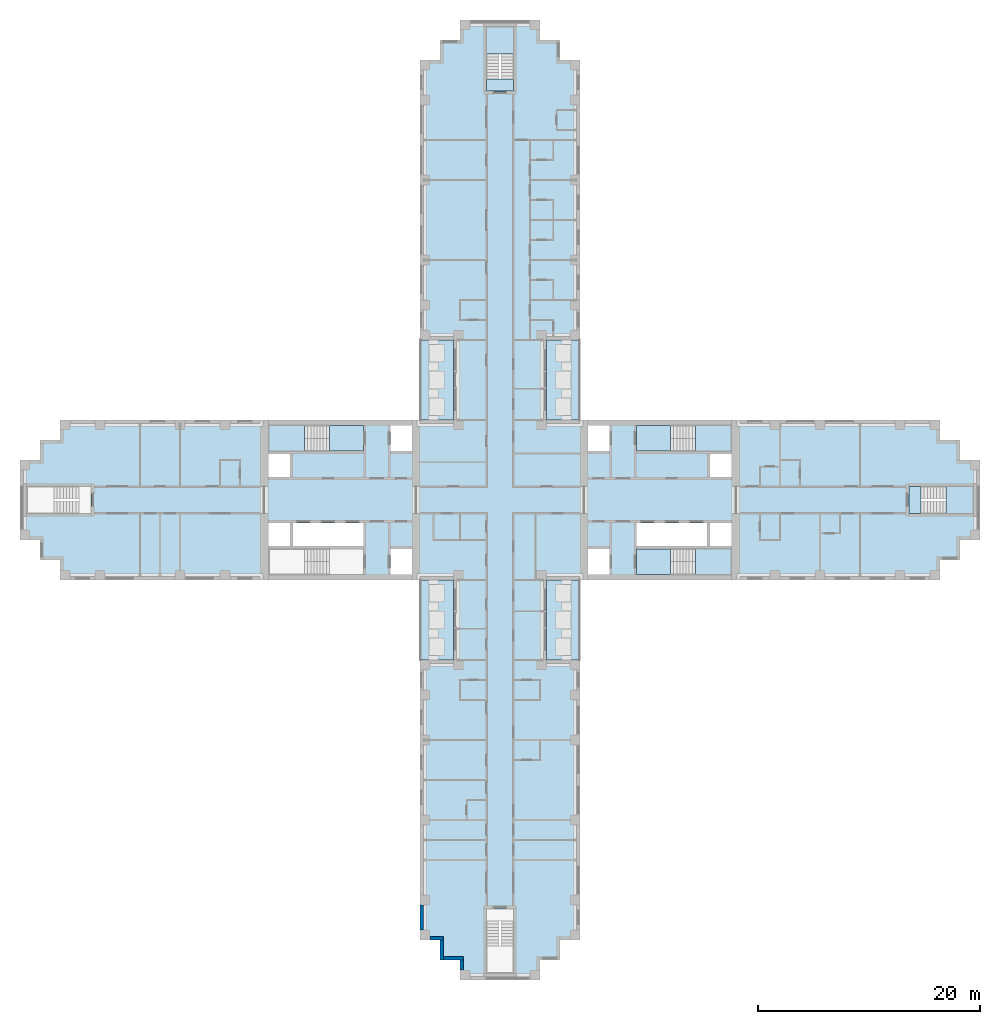
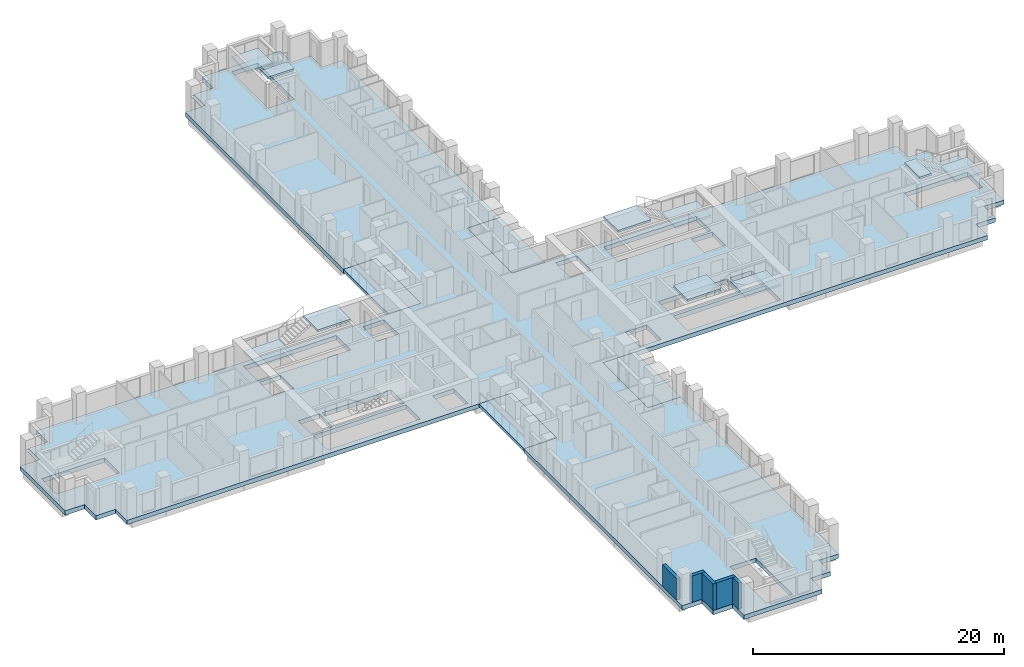
# One storey, part 2 of 15: 15 slabs, 5 walls, 5 elements without a shape of their own.
"""IFC4 building model written with IfcOpenShell, lengths in metres."""

from ifc_helpers import new_model, si_unit, direction, frame, frame_2d, origin, place, context, subcontext, project, spatial, polyline, rectangle, outline, extrude, material, layer, layer_set, type_object, element, aggregate, save


model = new_model("IFC4")

# Units and contexts
model_context = context("Model", 3, precision=1e-05, world=origin(), true_north=direction((0.0, 1.0)))
body_context = subcontext(model_context, "Body", "Model", "MODEL_VIEW")
ifc_project = project(units=[si_unit("LENGTHUNIT", "METRE"), si_unit("AREAUNIT", "SQUARE_METRE"), si_unit("VOLUMEUNIT", "CUBIC_METRE"), si_unit("PLANEANGLEUNIT", "RADIAN"), si_unit("MASSUNIT", "GRAM", prefix="KILO")], contexts=[model_context])

# Site, building, storey
site_placement = place(None, origin())
site = spatial("IfcSite", under=ifc_project, at=site_placement, CompositionType="ELEMENT")
building_placement = place(site_placement, origin())
building = spatial("IfcBuilding", under=site, at=building_placement, Name="Fustian Cross Tower", CompositionType="ELEMENT")
storey_placement = place(building_placement, frame((0.0, 0.0, 38.699951171875)))
storey = spatial("IfcBuildingStorey", under=building, at=storey_placement, Name="L11", CompositionType="ELEMENT", Elevation=38.699951171875)

# Slabs
ifc_material_1 = material(Name="Concrete C40/50", Category="concrete")
ifc_layer_1 = layer(ifc_material_1, 0.300048828125)
ifc_layer_set_1 = layer_set([ifc_layer_1], Name="Concrete C40/50")
slab_type_1 = type_object("IfcSlabType", Name="BS1 BALCONY SLAB 300", PredefinedType="FLOOR", material=ifc_layer_set_1)
slab_1_placement = place(storey_placement, frame((0.0, 0.0, -0.300048828125)))
element("IfcSlab", 1, at=slab_1_placement, inside=storey, type_object=slab_type_1, Name="Balcony slab", PredefinedType="FLOOR", context=body_context, shape_type="SweptSolid", body=[
    extrude(outline(polyline([(4.199951171875, 7.199951171875), (7.199951171875, 7.199951171875), (7.199951171875, 14.39990234375), (4.199951171875, 14.39990234375), (4.199951171875, 7.199951171875)])), origin(), (0.0, 0.0, 1.0), 0.300048828125),
])
slab_2_placement = place(storey_placement, frame((0.0, 0.0, -0.300048828125)))
element("IfcSlab", 2, at=slab_2_placement, inside=storey, type_object=slab_type_1, Name="Balcony slab", PredefinedType="FLOOR", context=body_context, shape_type="SweptSolid", body=[
    extrude(outline(polyline([(-7.199951171875, 7.199951171875), (-4.199951171875, 7.199951171875), (-4.199951171875, 14.39990234375), (-7.199951171875, 14.39990234375), (-7.199951171875, 7.199951171875)])), origin(), (0.0, 0.0, 1.0), 0.300048828125),
])
slab_3_placement = place(storey_placement, frame((0.0, 0.0, -0.300048828125)))
element("IfcSlab", 3, at=slab_3_placement, inside=storey, type_object=slab_type_1, Name="Balcony slab", PredefinedType="FLOOR", context=body_context, shape_type="SweptSolid", body=[
    extrude(outline(polyline([(4.199951171875, -14.39990234375), (7.199951171875, -14.39990234375), (7.199951171875, -7.199951171875), (4.199951171875, -7.199951171875), (4.199951171875, -14.39990234375)])), origin(), (0.0, 0.0, 1.0), 0.300048828125),
])
slab_4_placement = place(storey_placement, frame((0.0, 0.0, -0.300048828125)))
element("IfcSlab", 4, at=slab_4_placement, inside=storey, type_object=slab_type_1, Name="Balcony slab", PredefinedType="FLOOR", context=body_context, shape_type="SweptSolid", body=[
    extrude(outline(polyline([(-7.199951171875, -14.39990234375), (-4.199951171875, -14.39990234375), (-4.199951171875, -7.199951171875), (-7.199951171875, -7.199951171875), (-7.199951171875, -14.39990234375)])), origin(), (0.0, 0.0, 1.0), 0.300048828125),
])
ifc_material_2 = material(Name="Concrete C40/50", Category="concrete")
ifc_layer_2 = layer(ifc_material_2, 0.425048828125)
ifc_layer_set_2 = layer_set([ifc_layer_2], Name="Concrete C40/50")
slab_type_2 = type_object("IfcSlabType", Name="FLAT SLAB 425", PredefinedType="FLOOR", material=ifc_layer_set_2)
slab_5_placement = place(storey_placement, frame((0.0, 0.0, -0.425048828125)))
element("IfcSlab", 5, at=slab_5_placement, inside=storey, type_object=slab_type_2, Name="FLOOR SLAB L11-1", PredefinedType="FLOOR", context=body_context, shape_type="SweptSolid", body=[
    extrude(outline(polyline([(-4.199951171875, -7.199951171875), (-39.60009765625, -7.199951171875), (-39.60009765625, -5.39990234375), (-41.39990234375, -5.39990234375), (-41.39990234375, -3.60009765625), (-43.199951171875, -3.60009765625), (-43.199951171875, 3.60009765625), (-41.39990234375, 3.60009765625), (-41.39990234375, 5.39990234375), (-39.60009765625, 5.39990234375), (-39.60009765625, 7.199951171875), (-4.199951171875, 7.199951171875), (-4.199951171875, 14.39990234375), (-7.199951171875, 14.39990234375), (-7.199951171875, 39.60009765625), (-5.39990234375, 39.60009765625), (-5.39990234375, 41.39990234375), (-3.60009765625, 41.39990234375), (-3.60009765625, 43.199951171875), (3.60009765625, 43.199951171875), (3.60009765625, 41.39990234375), (5.39990234375, 41.39990234375), (5.39990234375, 39.60009765625), (7.199951171875, 39.60009765625), (7.199951171875, 14.39990234375), (4.199951171875, 14.39990234375), (4.199951171875, 7.199951171875), (39.60009765625, 7.199951171875), (39.60009765625, 5.39990234375), (41.39990234375, 5.39990234375), (41.39990234375, 3.60009765625), (43.199951171875, 3.60009765625), (43.199951171875, -3.60009765625), (41.39990234375, -3.60009765625), (41.39990234375, -5.39990234375), (39.60009765625, -5.39990234375), (39.60009765625, -7.199951171875), (4.199951171875, -7.199951171875), (4.199951171875, -14.39990234375), (7.199951171875, -14.39990234375), (7.199951171875, -39.60009765625), (5.39990234375, -39.60009765625), (5.39990234375, -41.39990234375), (3.60009765625, -41.39990234375), (3.60009765625, -43.199951171875), (-3.60009765625, -43.199951171875), (-3.60009765625, -41.39990234375), (-5.39990234375, -41.39990234375), (-5.39990234375, -39.60009765625), (-7.199951171875, -39.60009765625), (-7.199951171875, -14.39990234375), (-4.199951171875, -14.39990234375), (-4.199951171875, -7.199951171875)]), holes=[polyline([(18.89990234375, -2.050048828125), (18.89990234375, -4.14990234375), (20.85009765625, -4.14990234375), (20.85009765625, -2.050048828125), (18.89990234375, -2.050048828125)]), polyline([(20.85009765625, 4.14990234375), (18.89990234375, 4.14990234375), (18.89990234375, 2.050048828125), (20.85009765625, 2.050048828125), (20.85009765625, 4.14990234375)]), polyline([(9.85009765625, 4.39990234375), (9.85009765625, 6.699951171875), (7.89990234375, 6.699951171875), (7.89990234375, 4.39990234375), (9.85009765625, 4.39990234375)]), polyline([(7.89990234375, -6.699951171875), (9.85009765625, -6.699951171875), (9.85009765625, -4.39990234375), (7.89990234375, -4.39990234375), (7.89990234375, -6.699951171875)]), polyline([(-20.85009765625, -2.050048828125), (-20.85009765625, -4.14990234375), (-18.89990234375, -4.14990234375), (-18.89990234375, -2.050048828125), (-20.85009765625, -2.050048828125)]), polyline([(-18.89990234375, 4.14990234375), (-20.85009765625, 4.14990234375), (-20.85009765625, 2.050048828125), (-18.89990234375, 2.050048828125), (-18.89990234375, 4.14990234375)]), polyline([(-7.89990234375, 4.39990234375), (-7.89990234375, 6.699951171875), (-9.85009765625, 6.699951171875), (-9.85009765625, 4.39990234375), (-7.89990234375, 4.39990234375)]), polyline([(-9.85009765625, -6.699951171875), (-7.89990234375, -6.699951171875), (-7.89990234375, -4.39990234375), (-9.85009765625, -4.39990234375), (-9.85009765625, -6.699951171875)]), polyline([(12.300048828125, -2.050048828125), (12.300048828125, -4.14990234375), (18.64990234375, -4.14990234375), (18.64990234375, -2.050048828125), (12.300048828125, -2.050048828125)]), polyline([(-12.300048828125, -2.050048828125), (-18.64990234375, -2.050048828125), (-18.64990234375, -4.14990234375), (-12.300048828125, -4.14990234375), (-12.300048828125, -2.050048828125)]), polyline([(20.85009765625, 4.39990234375), (20.85009765625, 6.699951171875), (12.300048828125, 6.699951171875), (12.300048828125, 4.39990234375), (20.85009765625, 4.39990234375)]), polyline([(12.300048828125, -6.699951171875), (20.85009765625, -6.699951171875), (20.85009765625, -4.39990234375), (12.300048828125, -4.39990234375), (12.300048828125, -6.699951171875)]), polyline([(-20.85009765625, 6.699951171875), (-20.85009765625, 4.39990234375), (-12.300048828125, 4.39990234375), (-12.300048828125, 6.699951171875), (-20.85009765625, 6.699951171875)]), polyline([(-12.300048828125, -4.39990234375), (-20.85009765625, -4.39990234375), (-20.85009765625, -6.699951171875), (-12.300048828125, -6.699951171875), (-12.300048828125, -4.39990234375)]), polyline([(1.199951171875, 36.800048828125), (1.199951171875, 42.60009765625), (-1.199951171875, 42.60009765625), (-1.199951171875, 36.800048828125), (1.199951171875, 36.800048828125)]), polyline([(-1.199951171875, -42.60009765625), (1.199951171875, -42.60009765625), (1.199951171875, -36.800048828125), (-1.199951171875, -36.800048828125), (-1.199951171875, -42.60009765625)]), polyline([(36.800048828125, 1.199951171875), (36.800048828125, -1.199951171875), (42.60009765625, -1.199951171875), (42.60009765625, 1.199951171875), (36.800048828125, 1.199951171875)]), polyline([(-36.800048828125, 1.199951171875), (-42.60009765625, 1.199951171875), (-42.60009765625, -1.199951171875), (-36.800048828125, -1.199951171875), (-36.800048828125, 1.199951171875)])]), origin(), (0.0, 0.0, 1.0), 0.425048828125),
])

# Stair, slabs
ifc_material_3 = material(Name="Concrete C50/60", Category="concrete")
stair_type_1 = type_object("IfcStairType", Name="STAIR 1150 HALF TURN", PredefinedType="HALF_TURN_STAIR", material=ifc_material_3)
stair_1_placement = place(storey_placement, origin())
stair_1 = element("IfcStair", 6, at=stair_1_placement, inside=storey, type_object=stair_type_1, Name="Stair ST1", PredefinedType="HALF_TURN_STAIR")
ifc_material_4 = material(Name="Concrete C50/60", Category="concrete")
ifc_layer_3 = layer(ifc_material_4, 0.199951171875)
ifc_layer_set_3 = layer_set([ifc_layer_3], Name="Concrete C50/60")
slab_type_3 = type_object("IfcSlabType", Name="STAIR LANDING", PredefinedType="LANDING", material=ifc_layer_set_3)
slab_6_placement = place(storey_placement, frame((0.0, 0.0, 1.300048828125)))
slab_6 = element("IfcSlab", 7, at=slab_6_placement, type_object=slab_type_3, Name="ST1 landing 1", PredefinedType="LANDING", context=body_context, shape_type="SweptSolid", body=[
    extrude(outline(polyline([(17.590087890625, 4.39990234375), (20.85009765625, 4.39990234375), (20.85009765625, 6.699951171875), (17.590087890625, 6.699951171875), (17.590087890625, 4.39990234375)])), origin(), (0.0, 0.0, 1.0), 0.199951171875),
])
slab_7_placement = place(storey_placement, frame((0.0, 0.0, 2.800048828125)))
slab_7 = element("IfcSlab", 8, at=slab_7_placement, type_object=slab_type_3, Name="ST1 landing 2", PredefinedType="LANDING", context=body_context, shape_type="SweptSolid", body=[
    extrude(outline(polyline([(12.300048828125, 4.39990234375), (15.35009765625, 4.39990234375), (15.35009765625, 6.699951171875), (12.300048828125, 6.699951171875), (12.300048828125, 4.39990234375)])), origin(), (0.0, 0.0, 1.0), 0.199951171875),
])
aggregate(stair_1, [slab_6, slab_7])

stair_2_placement = place(storey_placement, origin())
stair_2 = element("IfcStair", 9, at=stair_2_placement, inside=storey, type_object=stair_type_1, Name="Stair ST2", PredefinedType="HALF_TURN_STAIR")
slab_8_placement = place(storey_placement, frame((0.0, 0.0, 1.300048828125)))
slab_8 = element("IfcSlab", 10, at=slab_8_placement, type_object=slab_type_3, Name="ST2 landing 1", PredefinedType="LANDING", context=body_context, shape_type="SweptSolid", body=[
    extrude(outline(polyline([(17.590087890625, -4.39990234375), (20.85009765625, -4.39990234375), (20.85009765625, -6.699951171875), (17.590087890625, -6.699951171875), (17.590087890625, -4.39990234375)])), origin(), (0.0, 0.0, 1.0), 0.199951171875),
])
slab_9_placement = place(storey_placement, frame((0.0, 0.0, 2.800048828125)))
slab_9 = element("IfcSlab", 11, at=slab_9_placement, type_object=slab_type_3, Name="ST2 landing 2", PredefinedType="LANDING", context=body_context, shape_type="SweptSolid", body=[
    extrude(outline(polyline([(12.300048828125, -4.39990234375), (15.35009765625, -4.39990234375), (15.35009765625, -6.699951171875), (12.300048828125, -6.699951171875), (12.300048828125, -4.39990234375)])), origin(), (0.0, 0.0, 1.0), 0.199951171875),
])
aggregate(stair_2, [slab_8, slab_9])

stair_3_placement = place(storey_placement, origin())
stair_3 = element("IfcStair", 12, at=stair_3_placement, inside=storey, type_object=stair_type_1, Name="Stair ST3", PredefinedType="HALF_TURN_STAIR")
slab_10_placement = place(storey_placement, frame((0.0, 0.0, 1.300048828125)))
slab_10 = element("IfcSlab", 13, at=slab_10_placement, type_object=slab_type_3, Name="ST3 landing 1", PredefinedType="LANDING", context=body_context, shape_type="SweptSolid", body=[
    extrude(outline(polyline([(-17.590087890625, 4.39990234375), (-20.85009765625, 4.39990234375), (-20.85009765625, 6.699951171875), (-17.590087890625, 6.699951171875), (-17.590087890625, 4.39990234375)])), origin(), (0.0, 0.0, 1.0), 0.199951171875),
])
slab_11_placement = place(storey_placement, frame((0.0, 0.0, 2.800048828125)))
slab_11 = element("IfcSlab", 14, at=slab_11_placement, type_object=slab_type_3, Name="ST3 landing 2", PredefinedType="LANDING", context=body_context, shape_type="SweptSolid", body=[
    extrude(outline(polyline([(-12.300048828125, 4.39990234375), (-15.35009765625, 4.39990234375), (-15.35009765625, 6.699951171875), (-12.300048828125, 6.699951171875), (-12.300048828125, 4.39990234375)])), origin(), (0.0, 0.0, 1.0), 0.199951171875),
])
aggregate(stair_3, [slab_10, slab_11])

ifc_material_5 = material(Name="Concrete C50/60", Category="concrete")
stair_type_2 = type_object("IfcStairType", Name="STAIR 1100 HALF TURN", PredefinedType="HALF_TURN_STAIR", material=ifc_material_5)
stair_4_placement = place(storey_placement, origin())
stair_4 = element("IfcStair", 15, at=stair_4_placement, inside=storey, type_object=stair_type_2, Name="Stair ST5", PredefinedType="HALF_TURN_STAIR")
slab_12_placement = place(storey_placement, frame((0.0, 0.0, 1.300048828125)))
slab_12 = element("IfcSlab", 16, at=slab_12_placement, type_object=slab_type_3, Name="ST5 landing 1", PredefinedType="LANDING", context=body_context, shape_type="SweptSolid", body=[
    extrude(outline(polyline([(-1.199951171875, 40.139892578125), (-1.199951171875, 42.60009765625), (1.199951171875, 42.60009765625), (1.199951171875, 40.139892578125), (-1.199951171875, 40.139892578125)])), origin(), (0.0, 0.0, 1.0), 0.199951171875),
])
slab_13_placement = place(storey_placement, frame((0.0, 0.0, 2.800048828125)))
slab_13 = element("IfcSlab", 17, at=slab_13_placement, type_object=slab_type_3, Name="ST5 landing 2", PredefinedType="LANDING", context=body_context, shape_type="SweptSolid", body=[
    extrude(outline(polyline([(-1.199951171875, 36.800048828125), (-1.199951171875, 37.89990234375), (1.199951171875, 37.89990234375), (1.199951171875, 36.800048828125), (-1.199951171875, 36.800048828125)])), origin(), (0.0, 0.0, 1.0), 0.199951171875),
])
aggregate(stair_4, [slab_12, slab_13])

stair_5_placement = place(storey_placement, origin())
stair_5 = element("IfcStair", 18, at=stair_5_placement, inside=storey, type_object=stair_type_2, Name="Stair ST8", PredefinedType="HALF_TURN_STAIR")
slab_14_placement = place(storey_placement, frame((0.0, 0.0, 1.300048828125)))
slab_14 = element("IfcSlab", 19, at=slab_14_placement, type_object=slab_type_3, Name="ST8 landing 1", PredefinedType="LANDING", context=body_context, shape_type="SweptSolid", body=[
    extrude(outline(polyline([(40.139892578125, -1.199951171875), (42.60009765625, -1.199951171875), (42.60009765625, 1.199951171875), (40.139892578125, 1.199951171875), (40.139892578125, -1.199951171875)])), origin(), (0.0, 0.0, 1.0), 0.199951171875),
])
slab_15_placement = place(storey_placement, frame((0.0, 0.0, 2.800048828125)))
slab_15 = element("IfcSlab", 20, at=slab_15_placement, type_object=slab_type_3, Name="ST8 landing 2", PredefinedType="LANDING", context=body_context, shape_type="SweptSolid", body=[
    extrude(outline(polyline([(36.800048828125, -1.199951171875), (37.89990234375, -1.199951171875), (37.89990234375, 1.199951171875), (36.800048828125, 1.199951171875), (36.800048828125, -1.199951171875)])), origin(), (0.0, 0.0, 1.0), 0.199951171875),
])
aggregate(stair_5, [slab_14, slab_15])

# Walls
ifc_material_6 = material(Name="Dark aluminium cladding on insulated backing wall", Category="aluminium")
ifc_layer_4 = layer(ifc_material_6, 0.300048828125)
ifc_layer_set_4 = layer_set([ifc_layer_4], Name="Dark aluminium cladding on insulated backing wall")
wall_type = type_object("IfcWallType", Name="XW1 EXTERNAL WALL 300", PredefinedType="SOLIDWALL", material=ifc_layer_set_4)
wall_1_placement = place(storey_placement, frame((-7.050048828125, -36.449951171875, 0.0), z_axis=(0.0, 0.0, 1.0), x_axis=(0.0, -1.0, 0.0)))
element("IfcWall", 21, at=wall_1_placement, inside=storey, type_object=wall_type, Name="External wall", PredefinedType="SOLIDWALL", context=body_context, shape_type="SweptSolid", body=[
    extrude(rectangle(XDim=2.25, YDim=0.300048828125, at=frame_2d((1.125, 0.0))), origin(), (0.0, 0.0, 1.0), 2.10009765625),
])
wall_2_placement = place(storey_placement, frame((-6.300048828125, -39.449951171875, 0.0), z_axis=(0.0, 0.0, 1.0), x_axis=(1.0, 0.0, 0.0)))
element("IfcWall", 22, at=wall_2_placement, inside=storey, type_object=wall_type, Name="External wall", PredefinedType="SOLIDWALL", context=body_context, shape_type="SweptSolid", body=[
    extrude(rectangle(XDim=1.199951171875, YDim=0.300048828125, at=frame_2d((0.60009765625, 0.0))), origin(), (0.0, 0.0, 1.0), 2.574951171875),
])
wall_3_placement = place(storey_placement, frame((-5.25, -39.60009765625, 0.0), z_axis=(0.0, 0.0, 1.0), x_axis=(0.0, -1.0, 0.0)))
element("IfcWall", 23, at=wall_3_placement, inside=storey, type_object=wall_type, Name="External wall", PredefinedType="SOLIDWALL", context=body_context, shape_type="SweptSolid", body=[
    extrude(rectangle(XDim=1.7998046875, YDim=0.300048828125, at=frame_2d((0.89990234375, 0.0))), origin(), (0.0, 0.0, 1.0), 2.574951171875),
])
wall_4_placement = place(storey_placement, frame((-5.10009765625, -41.25, 0.0), z_axis=(0.0, 0.0, 1.0), x_axis=(1.0, 0.0, 0.0)))
element("IfcWall", 24, at=wall_4_placement, inside=storey, type_object=wall_type, Name="External wall", PredefinedType="SOLIDWALL", context=body_context, shape_type="SweptSolid", body=[
    extrude(rectangle(XDim=1.800048828125, YDim=0.300048828125, at=frame_2d((0.89990234375, 0.0))), origin(), (0.0, 0.0, 1.0), 2.574951171875),
])
wall_5_placement = place(storey_placement, frame((-3.449951171875, -41.39990234375, 0.0), z_axis=(0.0, 0.0, 1.0), x_axis=(0.0, -1.0, 0.0)))
element("IfcWall", 25, at=wall_5_placement, inside=storey, type_object=wall_type, Name="External wall", PredefinedType="SOLIDWALL", context=body_context, shape_type="SweptSolid", body=[
    extrude(rectangle(XDim=0.900146484375, YDim=0.300048828125, at=frame_2d((0.4501953125, 0.0))), origin(), (0.0, 0.0, 1.0), 2.574951171875),
])

save(model, "model.ifc")
